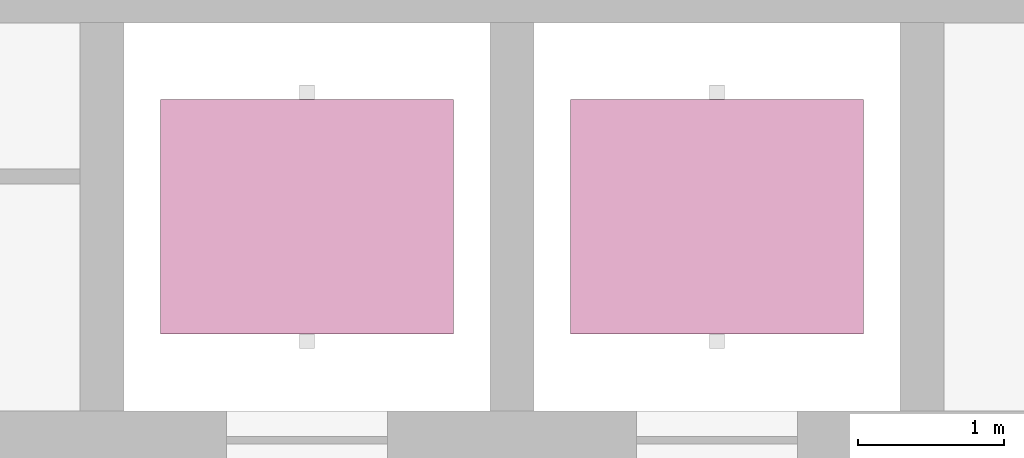
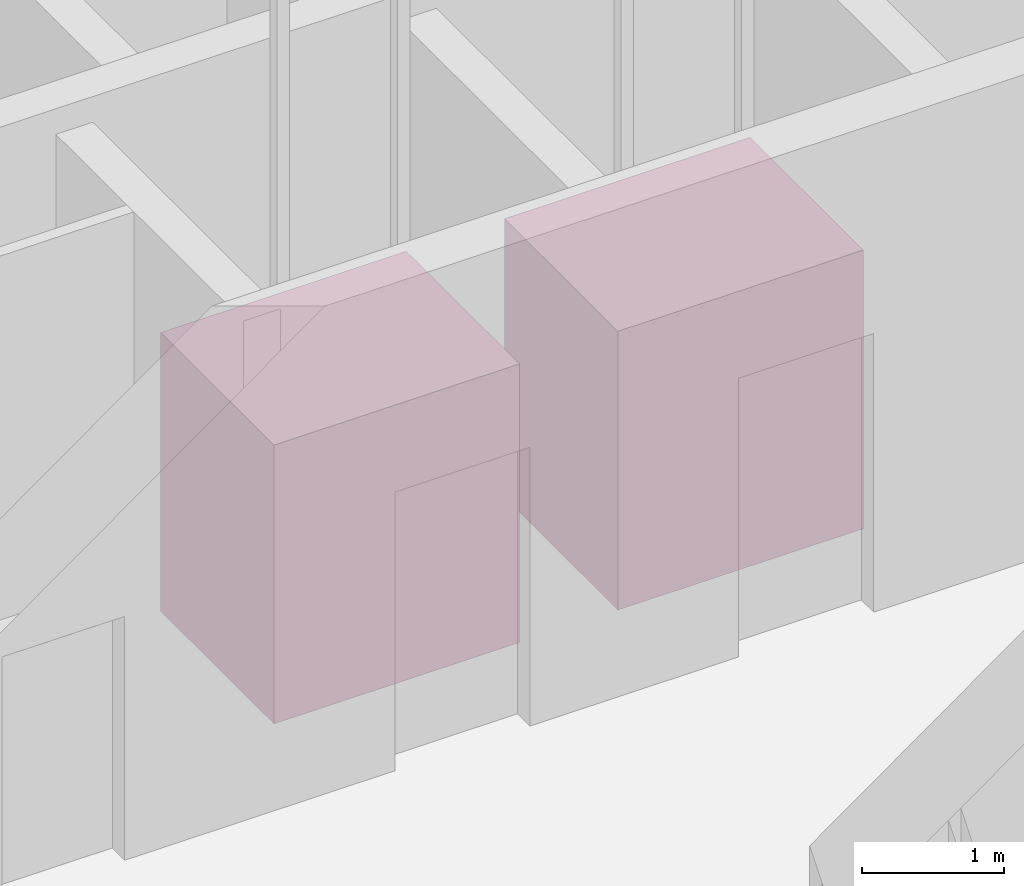
# One storey, part 15 of 19: 2 transport elements.
"""IFC4 building model written with IfcOpenShell, lengths in metres."""

import ifcopenshell
import ifcopenshell.guid

model = None  # the IFC model being written
_history = None  # IfcOwnerHistory: only IFC2X3 demands one
_inside = {}  # id of a spatial element -> (the spatial element, [elements in it])
_under = {}  # id of a project, library or spatial element -> (it, [spatial elements below it])
_declared = {}  # id of a project -> (the project, [libraries it declares])
_typed = {}  # id of a type object -> (the type object, [elements of that type])
_made_of = {}  # id of a material, layer set ... -> (it, [elements and type objects made of it])


def new_model(schema):
    """Start an empty IFC model of exactly this schema.

    Asked for "IFC4X3", IfcOpenShell would pick the latest addendum, in which some entities
    have other attributes; the version numbers below select the first issue.
    IFC2X3 requires an IfcOwnerHistory on every rooted entity: one is made here for all.
    """
    global model, _history
    if schema == "IFC4X3":
        model = ifcopenshell.file(schema_version=(4, 3, 0, 0))
    else:
        model = ifcopenshell.file(schema=schema)
    _inside.clear()
    _under.clear()
    _declared.clear()
    _typed.clear()
    _made_of.clear()
    _history = None
    if model.schema == "IFC2X3":
        org = make("IfcOrganization", Name="unknown")
        user = make(
            "IfcPersonAndOrganization",
            ThePerson=make("IfcPerson", FamilyName="unknown"),
            TheOrganization=org,
        )
        app = make(
            "IfcApplication",
            ApplicationDeveloper=org,
            Version="unknown",
            ApplicationFullName="unknown",
            ApplicationIdentifier="unknown",
        )
        _history = make(
            "IfcOwnerHistory",
            OwningUser=user,
            OwningApplication=app,
            ChangeAction="ADDED",
            CreationDate=0,
        )
    return model


def make(cls, **values):
    """One entity of the class cls with the attributes given. An attribute that is None is left unset."""
    return model.create_entity(
        cls, **{name: value for name, value in values.items() if value is not None}
    )


def rooted(cls, **values):
    """An entity with a GlobalId (a new one), such as an element, a storey or a relation."""
    return make(cls, GlobalId=ifcopenshell.guid.new(), OwnerHistory=_history, **values)


def si_unit(unit_type, name, prefix=None):
    """IfcSIUnit, for example si_unit("LENGTHUNIT", "METRE", prefix="MILLI")."""
    return make("IfcSIUnit", UnitType=unit_type, Prefix=prefix, Name=name)


def assignment(units):
    """IfcUnitAssignment: the units of a project."""
    return None if units is None else make("IfcUnitAssignment", Units=units)


def point(xyz):
    """IfcCartesianPoint."""
    return None if xyz is None else make("IfcCartesianPoint", Coordinates=xyz)


def direction(xyz):
    """IfcDirection."""
    return None if xyz is None else make("IfcDirection", DirectionRatios=xyz)


def frame(location, z_axis=None, x_axis=None):
    """IfcAxis2Placement3D, a coordinate frame: its origin and axes. An axis left out is left unset."""
    return make(
        "IfcAxis2Placement3D",
        Location=point(location),
        Axis=direction(z_axis),
        RefDirection=direction(x_axis),
    )


def frame_2d(location, x_axis=None):
    """IfcAxis2Placement2D, a coordinate frame in the plane: its origin and x axis."""
    return make(
        "IfcAxis2Placement2D", Location=point(location), RefDirection=direction(x_axis)
    )


def origin():
    """The frame at (0, 0, 0) with its axes left unset."""
    return frame((0.0, 0.0, 0.0))


def origin_2d():
    """The frame at (0, 0) in the plane with its x axis left unset."""
    return frame_2d((0.0, 0.0))


def place(relative_to, where):
    """IfcLocalPlacement: puts the frame where relative to a parent placement (None: the world)."""
    return make(
        "IfcLocalPlacement", PlacementRelTo=relative_to, RelativePlacement=where
    )


def context(
    kind, dimensions, precision=None, world=None, true_north=None, identifier=None
):
    """IfcGeometricRepresentationContext, for example the 3D "Model" context."""
    return make(
        "IfcGeometricRepresentationContext",
        ContextIdentifier=identifier,
        ContextType=kind,
        CoordinateSpaceDimension=dimensions,
        Precision=precision,
        WorldCoordinateSystem=world,
        TrueNorth=true_north,
    )


def subcontext(parent, identifier, kind, view, scale=None):
    """IfcGeometricRepresentationSubContext, for example "Body" below "Model"."""
    return make(
        "IfcGeometricRepresentationSubContext",
        ContextIdentifier=identifier,
        ContextType=kind,
        ParentContext=parent,
        TargetScale=scale,
        TargetView=view,
    )


def project(units=None, contexts=None):
    """IfcProject with its units and contexts."""
    return rooted(
        "IfcProject",
        Name="project",
        RepresentationContexts=contexts,
        UnitsInContext=assignment(units),
    )


def spatial(cls, under=None, at=None, **own):
    """A site, building, storey or space (cls), placed at a placement, below another one or the project."""
    s = rooted(cls, ObjectPlacement=at, **own)
    if under is not None:
        _under.setdefault(under.id(), (under, []))[1].append(s)
    return s


def profile(cls, at=None, kind="AREA", **sizes):
    """A parametric profile (cls). Its sizes go by their IFC names, for example OverallWidth=200.0."""
    return make(cls, ProfileType=kind, Position=at, **sizes)


def rectangle(**sizes):
    """IfcRectangleProfileDef."""
    return profile("IfcRectangleProfileDef", **sizes)


def extrude(swept, where, along, depth):
    """IfcExtrudedAreaSolid: the profile swept, set in the frame where, extruded along a direction by depth."""
    return make(
        "IfcExtrudedAreaSolid",
        SweptArea=swept,
        Position=where,
        ExtrudedDirection=direction(along),
        Depth=depth,
    )


def shape(context_of_items, identifier, shape_type, items):
    """IfcShapeRepresentation: the items that make up one representation, for example the "Body"."""
    return make(
        "IfcShapeRepresentation",
        ContextOfItems=context_of_items,
        RepresentationIdentifier=identifier,
        RepresentationType=shape_type,
        Items=items,
    )


def material(Name=None, Category=None):
    """IfcMaterial."""
    return make("IfcMaterial", Name=Name, Category=Category)


def made_of(thing, what):
    """Note that an element or type object is made of a material, layer set ...; save() writes the relation."""
    if what is not None:
        _made_of.setdefault(what.id(), (what, []))[1].append(thing)
    return thing


def type_object(cls, material=None, **own):
    """A type object (cls), such as IfcWallType, which elements share."""
    return made_of(rooted(cls, **own), material)


def element(
    cls,
    number,
    at=None,
    inside=None,
    cuts=None,
    type_object=None,
    material=None,
    context=None,
    identifier="Body",
    shape_type=None,
    held_by="IfcProductDefinitionShape",
    body=None,
    shapes=None,
    **own,
):
    """One element of the class cls, such as IfcWall. Its Tag is "e" and its number.

    at: its placement. inside: the storey or other place that contains it. cuts: it is an
    opening in that element (IfcRelVoidsElement). A single representation is given by context,
    identifier, shape_type and body (its items); several are given by shapes. held_by: the class
    of the entity that holds the representations. save() writes the other relations.
    """
    e = rooted(cls, Tag="e%d" % number, ObjectPlacement=at, **own)
    if body is not None:
        shapes = [shape(context, identifier, shape_type, body)]
    if shapes is not None:
        e.Representation = make(held_by, Representations=shapes)
    if inside is not None:
        _inside.setdefault(inside.id(), (inside, []))[1].append(e)
    if cuts is not None:
        rooted(
            "IfcRelVoidsElement", RelatingBuildingElement=cuts, RelatedOpeningElement=e
        )
    if type_object is not None:
        _typed.setdefault(type_object.id(), (type_object, []))[1].append(e)
    return made_of(e, material)


def aggregate(whole, parts):
    """IfcRelAggregates: a whole, such as a stair, and the parts it consists of."""
    return rooted("IfcRelAggregates", RelatingObject=whole, RelatedObjects=parts)


def save(model, path):
    """Write the relations noted so far, then the file.

    IfcRelAggregates (storeys below a building ...), IfcRelContainedInSpatialStructure (elements
    in a storey), IfcRelDefinesByType, IfcRelAssociatesMaterial and IfcRelDeclares: one each for
    every whole, place, type object, material and project.
    """
    for whole, parts in _under.values():
        aggregate(whole, parts)
    for where, things in _inside.values():
        rooted(
            "IfcRelContainedInSpatialStructure",
            RelatedElements=things,
            RelatingStructure=where,
        )
    for kind, things in _typed.values():
        rooted("IfcRelDefinesByType", RelatedObjects=things, RelatingType=kind)
    for what, things in _made_of.values():
        rooted("IfcRelAssociatesMaterial", RelatedObjects=things, RelatingMaterial=what)
    for by, libraries in _declared.values():
        rooted("IfcRelDeclares", RelatingContext=by, RelatedDefinitions=libraries)
    model.write(path)


model = new_model("IFC4")

# Units and contexts
model_context = context("Model", 3, precision=1e-05, world=origin(), true_north=direction((0.0, 1.0)))
body_context = subcontext(model_context, "Body", "Model", "MODEL_VIEW")
ifc_project = project(units=[si_unit("LENGTHUNIT", "METRE"), si_unit("AREAUNIT", "SQUARE_METRE"), si_unit("VOLUMEUNIT", "CUBIC_METRE"), si_unit("PLANEANGLEUNIT", "RADIAN"), si_unit("MASSUNIT", "GRAM", prefix="KILO")], contexts=[model_context])

# Site, building, storey
site_placement = place(None, origin())
site = spatial("IfcSite", under=ifc_project, at=site_placement, CompositionType="ELEMENT")
building_placement = place(site_placement, origin())
building = spatial("IfcBuilding", under=site, at=building_placement, Name="Qingtian Harvest Tower", CompositionType="ELEMENT")
storey_placement = place(building_placement, frame((0.0, 0.0, 262.0)))
storey = spatial("IfcBuildingStorey", under=building, at=storey_placement, Name="L57", CompositionType="ELEMENT", Elevation=262.0)

# Transport elements
ifc_material = material(Name="Lift car, steel and glass", Category="steel")
transport_element_type = type_object("IfcTransportElementType", Name="Passenger lift", PredefinedType="ELEVATOR", material=ifc_material)
for number, where, z_axis, x_axis, name in (
    (1, (1.89990234375, 3.52490234375, 0.0), (0.0, 0.0, 1.0), (1.0, 0.0, 0.0), "Lift PLD1"),
    (2, (4.699951171875, 3.52490234375, 0.0), (0.0, 0.0, 1.0), (1.0, 0.0, 0.0), "Lift PLD2"),
):
    element("IfcTransportElement", number, at=place(storey_placement, frame(where, z_axis=z_axis, x_axis=x_axis)), inside=storey, type_object=transport_element_type, Name=name, PredefinedType="ELEVATOR", context=body_context, shape_type="SweptSolid", body=[
        extrude(rectangle(XDim=2.0, YDim=1.60009765625, at=origin_2d()), origin(), (0.0, 0.0, 1.0), 2.39990234375),
    ])

save(model, "model.ifc")
